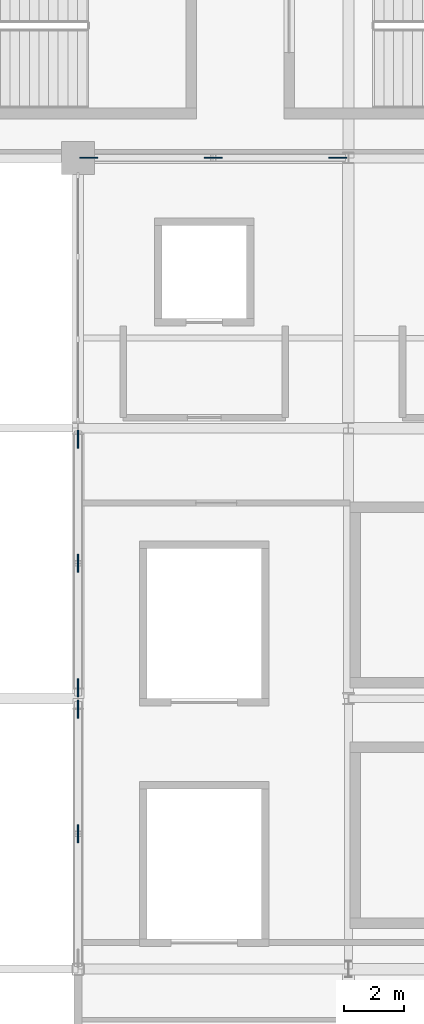
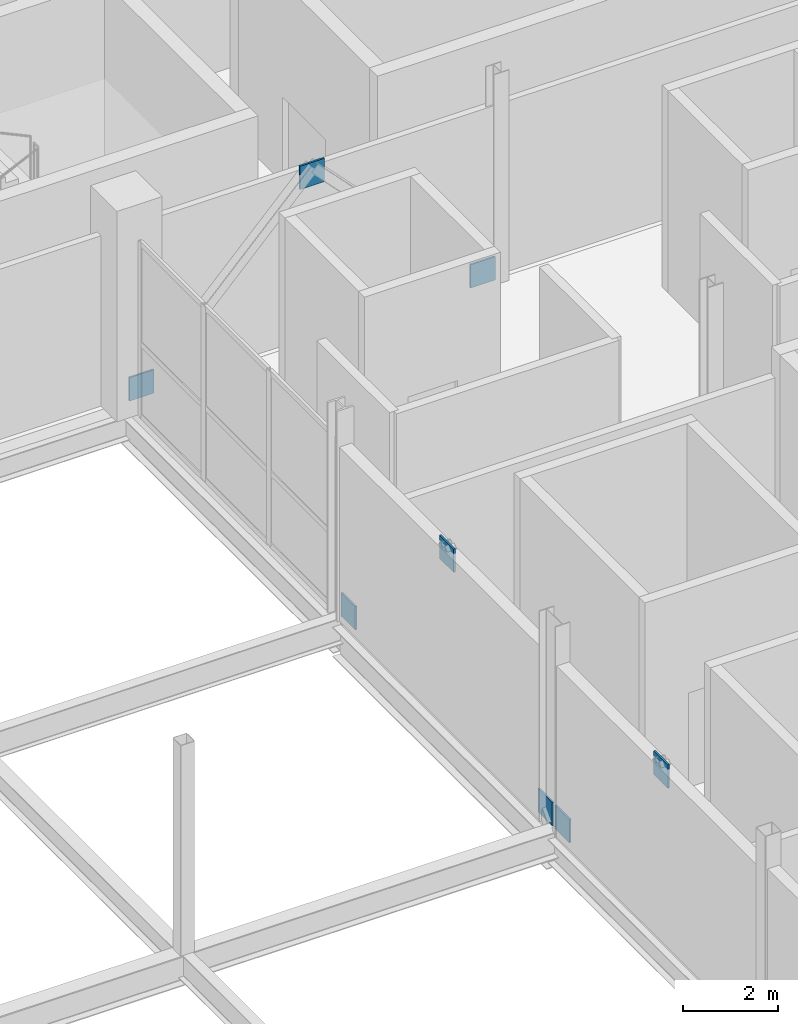
# One storey, part 52 of 94: 8 plates.
"""IFC4 building model written with IfcOpenShell, lengths in metres."""

from ifc_helpers import new_model, si_unit, direction, frame, origin, origin_2d, place, context, subcontext, project, spatial, rectangle, extrude, material, layer, layer_set, type_object, element, save


model = new_model("IFC4")

# Units and contexts
model_context = context("Model", 3, precision=1e-05, world=origin(), true_north=direction((0.0, 1.0)))
body_context = subcontext(model_context, "Body", "Model", "MODEL_VIEW")
ifc_project = project(units=[si_unit("LENGTHUNIT", "METRE"), si_unit("AREAUNIT", "SQUARE_METRE"), si_unit("VOLUMEUNIT", "CUBIC_METRE"), si_unit("PLANEANGLEUNIT", "RADIAN"), si_unit("MASSUNIT", "GRAM", prefix="KILO")], contexts=[model_context])

# Site, building, storey
site_placement = place(None, origin())
site = spatial("IfcSite", under=ifc_project, at=site_placement, CompositionType="ELEMENT")
building_placement = place(site_placement, origin())
building = spatial("IfcBuilding", under=site, at=building_placement, Name="Qamarlyn Nura Convention Centre", CompositionType="ELEMENT")
storey_placement = place(building_placement, origin())
storey = spatial("IfcBuildingStorey", under=building, at=storey_placement, Name="L00", CompositionType="ELEMENT", Elevation=0.0)

# Plates
ifc_material = material(Name="Structural steel ASTM A572 Grade 50", Category="steel")
ifc_layer = layer(ifc_material, 0.044921875, Name="GP-TN1")
ifc_layer_set = layer_set([ifc_layer], Name="Structural steel ASTM A572 Grade 50")
plate_type = type_object("IfcPlateType", Name="GP-TN1", PredefinedType="USERDEFINED", material=ifc_layer_set)
for number, where, z_axis, x_axis, name in (
    (1, (153.0, 63.360107421875, 0.0), (0.0, 0.0, 1.0), (0.0, 1.0, 0.0), "SCBF chevron brace gusset plate CBF-E2-L00-A"),
    (2, (153.0, 71.639892578125, 0.0), (0.0, 0.0, 1.0), (0.0, 1.0, 0.0), "SCBF chevron brace gusset plate CBF-E2-L00-B"),
    (3, (153.0, 67.5, 3.98486328125), (0.0, 0.0, 1.0), (0.0, 1.0, 0.0), "SCBF chevron brace gusset plate CBF-E2-L00-M"),
    (4, (153.0, 62.639892578125, 0.0), (0.0, 0.0, 1.0), (0.0, 1.0, 0.0), "SCBF chevron brace gusset plate CBF-E3-L00-B"),
    (5, (153.0, 58.5, 3.906982421875), (0.0, 0.0, 1.0), (0.0, 1.0, 0.0), "SCBF chevron brace gusset plate CBF-E3-L00-M"),
    (6, (153.360107421875, 81.0, 0.0), (0.0, 0.0, 1.0), (1.0, 0.0, 0.0), "SCBF chevron brace gusset plate CBF-N1-L00-A"),
    (7, (161.639892578125, 81.0, 0.0), (0.0, 0.0, 1.0), (1.0, 0.0, 0.0), "SCBF chevron brace gusset plate CBF-N1-L00-B"),
    (8, (157.5, 81.0, 3.975830078125), (0.0, 0.0, 1.0), (1.0, 0.0, 0.0), "SCBF chevron brace gusset plate CBF-N1-L00-M"),
):
    element("IfcPlate", number, at=place(storey_placement, frame(where, z_axis=z_axis, x_axis=x_axis)), inside=storey, type_object=plate_type, Name=name, ObjectType="GUSSET PLATE", PredefinedType="USERDEFINED", context=body_context, shape_type="SweptSolid", body=[
        extrude(rectangle(XDim=0.60009765625, YDim=0.044921875, at=origin_2d()), origin(), (0.0, 0.0, 1.0), 0.60009765625),
    ])

save(model, "model.ifc")
